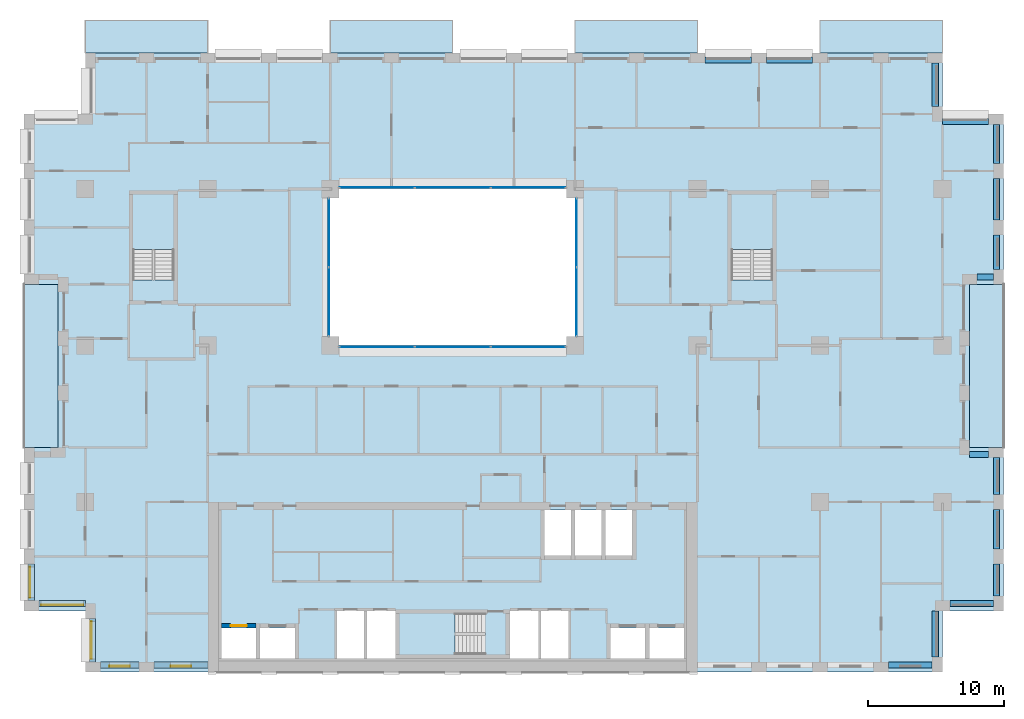
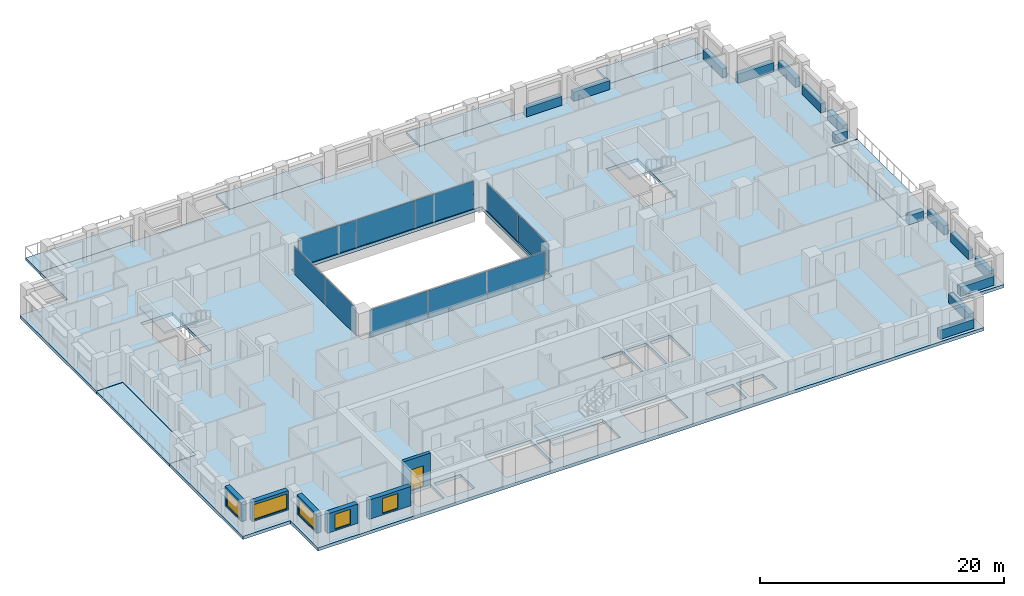
# One storey, part 7 of 16: 15 beams, 10 plates, 10 slabs, 6 walls, 5 windows, 1 door, 6 openings, 7 elements without a shape of their own.
"""IFC4 building model written with IfcOpenShell, lengths in metres."""

from ifc_helpers import new_model, si_unit, direction, frame, frame_2d, origin, origin_2d, place, context, subcontext, project, spatial, polyline, rectangle, outline, extrude, material, layer, layer_set, material_profile, profile_set, type_object, element, fill, aggregate, save


model = new_model("IFC4")

# Units and contexts
model_context = context("Model", 3, precision=1e-05, world=origin(), true_north=direction((0.0, 1.0)))
body_context = subcontext(model_context, "Body", "Model", "MODEL_VIEW")
ifc_project = project(units=[si_unit("LENGTHUNIT", "METRE"), si_unit("AREAUNIT", "SQUARE_METRE"), si_unit("VOLUMEUNIT", "CUBIC_METRE"), si_unit("PLANEANGLEUNIT", "RADIAN"), si_unit("MASSUNIT", "GRAM", prefix="KILO")], contexts=[model_context])

# Site, building, storey
site_placement = place(None, origin())
site = spatial("IfcSite", under=ifc_project, at=site_placement, CompositionType="ELEMENT")
building_placement = place(site_placement, origin())
building = spatial("IfcBuilding", under=site, at=building_placement, Name="Brigalow Station Residences", CompositionType="ELEMENT")
storey_placement = place(building_placement, frame((0.0, 0.0, 99.300048828125)))
storey = spatial("IfcBuildingStorey", under=building, at=storey_placement, Name="L28", CompositionType="ELEMENT", Elevation=99.300048828125)

# Beams
ifc_material_1 = material(Name="Concrete C65", Category="concrete")
ifc_material_profile = material_profile(ifc_material_1, rectangle(XDim=0.449951171875, YDim=0.89990234375, at=origin_2d()), Name="RC450x900")
ifc_profile_set = profile_set([ifc_material_profile], Name="Concrete C65")
beam_type = type_object("IfcBeamType", Name="SPANDREL BEAM 450x900 C65", PredefinedType="SPANDREL", material=ifc_profile_set)
beam_1_placement = place(storey_placement, frame((68.050048828125, 0.52490234375, 0.449951171875), z_axis=(1.0, 0.0, 0.0), x_axis=(0.0, 1.0, 0.0)))
element("IfcBeam", 1, at=beam_1_placement, inside=storey, type_object=beam_type, Name="L28/spandrel/W-L28-7", PredefinedType="SPANDREL", context=body_context, shape_type="SweptSolid", body=[
    extrude(rectangle(XDim=0.449951171875, YDim=0.89990234375, at=origin_2d()), origin(), (0.0, 0.0, 1.0), 3.199951171875),
])
beam_2_placement = place(storey_placement, frame((71.47509765625, 1.10009765625, 0.449951171875), z_axis=(0.0, 1.0, 0.0), x_axis=(-1.0, 0.0, 0.0)))
element("IfcBeam", 2, at=beam_2_placement, inside=storey, type_object=beam_type, Name="L28/spandrel/W-L28-8", PredefinedType="SPANDREL", context=body_context, shape_type="SweptSolid", body=[
    extrude(rectangle(XDim=0.449951171875, YDim=0.89990234375, at=origin_2d()), origin(), (0.0, 0.0, 1.0), 3.39990234375),
])
beam_3_placement = place(storey_placement, frame((72.550048828125, 5.02490234375, 0.449951171875), z_axis=(1.0, 0.0, 0.0), x_axis=(0.0, 1.0, 0.0)))
element("IfcBeam", 3, at=beam_3_placement, inside=storey, type_object=beam_type, Name="L28/spandrel/W-L28-9", PredefinedType="SPANDREL", context=body_context, shape_type="SweptSolid", body=[
    extrude(rectangle(XDim=0.449951171875, YDim=0.89990234375, at=origin_2d()), origin(), (0.0, 0.0, 1.0), 3.199951171875),
])
beam_4_placement = place(storey_placement, frame((75.97509765625, 5.60009765625, 0.449951171875), z_axis=(0.0, 1.0, 0.0), x_axis=(-1.0, 0.0, 0.0)))
element("IfcBeam", 4, at=beam_4_placement, inside=storey, type_object=beam_type, Name="L28/spandrel/W-L28-10", PredefinedType="SPANDREL", context=body_context, shape_type="SweptSolid", body=[
    extrude(rectangle(XDim=0.449951171875, YDim=0.89990234375, at=origin_2d()), origin(), (0.0, 0.0, 1.0), 2.349853515625),
])
beam_5_placement = place(storey_placement, frame((75.97509765625, 9.050048828125, 0.449951171875), z_axis=(0.0, 1.0, 0.0), x_axis=(-1.0, 0.0, 0.0)))
element("IfcBeam", 5, at=beam_5_placement, inside=storey, type_object=beam_type, Name="L28/spandrel/W-L28-11", PredefinedType="SPANDREL", context=body_context, shape_type="SweptSolid", body=[
    extrude(rectangle(XDim=0.449951171875, YDim=0.89990234375, at=origin_2d()), origin(), (0.0, 0.0, 1.0), 2.89990234375),
])
beam_6_placement = place(storey_placement, frame((75.97509765625, 13.050048828125, 0.449951171875), z_axis=(0.0, 1.0, 0.0), x_axis=(-1.0, 0.0, 0.0)))
element("IfcBeam", 6, at=beam_6_placement, inside=storey, type_object=beam_type, Name="L28/spandrel/W-L28-12", PredefinedType="SPANDREL", context=body_context, shape_type="SweptSolid", body=[
    extrude(rectangle(XDim=0.449951171875, YDim=0.89990234375, at=origin_2d()), origin(), (0.0, 0.0, 1.0), 2.699951171875),
])
beam_7_placement = place(storey_placement, frame((75.39990234375, 15.97509765625, 0.449951171875), z_axis=(-1.0, 0.0, 0.0), x_axis=(0.0, -1.0, 0.0)))
element("IfcBeam", 7, at=beam_7_placement, inside=storey, type_object=beam_type, Name="L28/spandrel/W-L28-13", PredefinedType="SPANDREL", context=body_context, shape_type="SweptSolid", body=[
    extrude(rectangle(XDim=0.449951171875, YDim=0.89990234375, at=origin_2d()), origin(), (0.0, 0.0, 1.0), 1.39990234375),
])
beam_8_placement = place(storey_placement, frame((74.550048828125, 29.02490234375, 0.449951171875), z_axis=(1.0, 0.0, 0.0), x_axis=(0.0, 1.0, 0.0)))
element("IfcBeam", 8, at=beam_8_placement, inside=storey, type_object=beam_type, Name="L28/spandrel/W-L28-17", PredefinedType="SPANDREL", context=body_context, shape_type="SweptSolid", body=[
    extrude(rectangle(XDim=0.449951171875, YDim=0.89990234375, at=origin_2d()), origin(), (0.0, 0.0, 1.0), 1.199951171875),
])
beam_9_placement = place(storey_placement, frame((75.97509765625, 29.60009765625, 0.449951171875), z_axis=(0.0, 1.0, 0.0), x_axis=(-1.0, 0.0, 0.0)))
element("IfcBeam", 9, at=beam_9_placement, inside=storey, type_object=beam_type, Name="L28/spandrel/W-L28-18", PredefinedType="SPANDREL", context=body_context, shape_type="SweptSolid", body=[
    extrude(rectangle(XDim=0.449951171875, YDim=0.89990234375, at=origin_2d()), origin(), (0.0, 0.0, 1.0), 2.516845703125),
])
beam_10_placement = place(storey_placement, frame((75.97509765625, 33.217041015625, 0.449951171875), z_axis=(0.0, 1.0, 0.0), x_axis=(-1.0, 0.0, 0.0)))
element("IfcBeam", 10, at=beam_10_placement, inside=storey, type_object=beam_type, Name="L28/spandrel/W-L28-19", PredefinedType="SPANDREL", context=body_context, shape_type="SweptSolid", body=[
    extrude(rectangle(XDim=0.449951171875, YDim=0.89990234375, at=origin_2d()), origin(), (0.0, 0.0, 1.0), 3.06591796875),
])
beam_11_placement = place(storey_placement, frame((75.97509765625, 37.383056640625, 0.449951171875), z_axis=(0.0, 1.0, 0.0), x_axis=(-1.0, 0.0, 0.0)))
element("IfcBeam", 11, at=beam_11_placement, inside=storey, type_object=beam_type, Name="L28/spandrel/W-L28-20", PredefinedType="SPANDREL", context=body_context, shape_type="SweptSolid", body=[
    extrude(rectangle(XDim=0.449951171875, YDim=0.89990234375, at=origin_2d()), origin(), (0.0, 0.0, 1.0), 2.866943359375),
])
beam_12_placement = place(storey_placement, frame((75.39990234375, 40.47509765625, 0.449951171875), z_axis=(-1.0, 0.0, 0.0), x_axis=(0.0, -1.0, 0.0)))
element("IfcBeam", 12, at=beam_12_placement, inside=storey, type_object=beam_type, Name="L28/spandrel/W-L28-21", PredefinedType="SPANDREL", context=body_context, shape_type="SweptSolid", body=[
    extrude(rectangle(XDim=0.449951171875, YDim=0.89990234375, at=origin_2d()), origin(), (0.0, 0.0, 1.0), 3.39990234375),
])
beam_13_placement = place(storey_placement, frame((71.47509765625, 41.550048828125, 0.449951171875), z_axis=(0.0, 1.0, 0.0), x_axis=(-1.0, 0.0, 0.0)))
element("IfcBeam", 13, at=beam_13_placement, inside=storey, type_object=beam_type, Name="L28/spandrel/W-L28-22", PredefinedType="SPANDREL", context=body_context, shape_type="SweptSolid", body=[
    extrude(rectangle(XDim=0.449951171875, YDim=0.89990234375, at=origin_2d()), origin(), (0.0, 0.0, 1.0), 3.199951171875),
])
for number, where, z_axis, x_axis, name in (
    (14, (62.449951171875, 44.97509765625, 0.449951171875), (-1.0, 0.0, 0.0), (0.0, -1.0, 0.0), "L28/spandrel/W-L28-25"),
    (15, (57.949951171875, 44.97509765625, 0.449951171875), (-1.0, 0.0, 0.0), (0.0, -1.0, 0.0), "L28/spandrel/W-L28-26"),
):
    element("IfcBeam", number, at=place(storey_placement, frame(where, z_axis=z_axis, x_axis=x_axis)), inside=storey, type_object=beam_type, Name=name, PredefinedType="SPANDREL", context=body_context, shape_type="SweptSolid", body=[
        extrude(rectangle(XDim=0.449951171875, YDim=0.89990234375, at=origin_2d()), origin(), (0.0, 0.0, 1.0), 3.39990234375),
    ])

# Curtain wall, plates
ifc_material_2 = material(Name="Aluminium", Category="aluminium")
ifc_layer_1 = layer(ifc_material_2, 0.14990234375)
ifc_layer_set_1 = layer_set([ifc_layer_1], Name="ATRIUM FIRE-RATED GLAZING CURTAIN WALL")
curtain_wall_type = type_object("IfcCurtainWallType", Name="ATRIUM FIRE-RATED GLAZING CURTAIN WALL", PredefinedType="NOTDEFINED", material=ifc_layer_set_1)
curtain_wall_1_placement = place(storey_placement, origin())
curtain_wall_1 = element("IfcCurtainWall", 16, at=curtain_wall_1_placement, inside=storey, type_object=curtain_wall_type, Name="L28/cw/atrium-S", PredefinedType="NOTDEFINED")
ifc_material_3 = material(Name="Fire-resisting laminated glazing, FRL -/60/-", Category="glass")
ifc_layer_2 = layer(ifc_material_3, 0.031982421875)
ifc_layer_set_2 = layer_set([ifc_layer_2], Name="ATRIUM FIRE-RATED GLAZING PANEL 32")
plate_type = type_object("IfcPlateType", Name="ATRIUM FIRE-RATED GLAZING PANEL 32", PredefinedType="CURTAIN_PANEL", material=ifc_layer_set_2)
plate_1_placement = place(storey_placement, frame((30.4482421875, 23.89990234375, 0.0), z_axis=(0.0, 0.0, 1.0), x_axis=(1.0, 0.0, 0.0)))
plate_1 = element("IfcPlate", 17, at=plate_1_placement, type_object=plate_type, Name="L28/cw/atrium-S/P00-00", PredefinedType="CURTAIN_PANEL", context=body_context, shape_type="SweptSolid", body=[
    extrude(rectangle(XDim=5.476806640625, YDim=0.031982421875, at=origin_2d()), origin(), (0.0, 0.0, 1.0), 2.77001953125),
])
plate_2_placement = place(storey_placement, frame((36.0, 23.89990234375, 0.0), z_axis=(0.0, 0.0, 1.0), x_axis=(1.0, 0.0, 0.0)))
plate_2 = element("IfcPlate", 18, at=plate_2_placement, type_object=plate_type, Name="L28/cw/atrium-S/P01-00", PredefinedType="CURTAIN_PANEL", context=body_context, shape_type="SweptSolid", body=[
    extrude(rectangle(XDim=5.506591796875, YDim=0.031982421875, at=origin_2d()), origin(), (0.0, 0.0, 1.0), 2.77001953125),
])
plate_3_placement = place(storey_placement, frame((41.5517578125, 23.89990234375, 0.0), z_axis=(0.0, 0.0, 1.0), x_axis=(1.0, 0.0, 0.0)))
plate_3 = element("IfcPlate", 19, at=plate_3_placement, type_object=plate_type, Name="L28/cw/atrium-S/P02-00", PredefinedType="CURTAIN_PANEL", context=body_context, shape_type="SweptSolid", body=[
    extrude(rectangle(XDim=5.476806640625, YDim=0.031982421875, at=origin_2d()), origin(), (0.0, 0.0, 1.0), 2.77001953125),
])
aggregate(curtain_wall_1, [plate_1, plate_2, plate_3])

curtain_wall_2_placement = place(storey_placement, origin())
curtain_wall_2 = element("IfcCurtainWall", 20, at=curtain_wall_2_placement, inside=storey, type_object=curtain_wall_type, Name="L28/cw/atrium-E", PredefinedType="NOTDEFINED")
plate_4_placement = place(storey_placement, frame((45.10009765625, 27.215087890625, 0.0), z_axis=(0.0, 0.0, 1.0), x_axis=(0.0, 1.0, 0.0)))
plate_4 = element("IfcPlate", 21, at=plate_4_placement, type_object=plate_type, Name="L28/cw/atrium-E/P00-00", PredefinedType="CURTAIN_PANEL", context=body_context, shape_type="SweptSolid", body=[
    extrude(rectangle(XDim=5.010009765625, YDim=0.031982421875, at=origin_2d()), origin(), (0.0, 0.0, 1.0), 2.77001953125),
])
plate_5_placement = place(storey_placement, frame((45.10009765625, 32.284912109375, 0.0), z_axis=(0.0, 0.0, 1.0), x_axis=(0.0, 1.0, 0.0)))
plate_5 = element("IfcPlate", 22, at=plate_5_placement, type_object=plate_type, Name="L28/cw/atrium-E/P01-00", PredefinedType="CURTAIN_PANEL", context=body_context, shape_type="SweptSolid", body=[
    extrude(rectangle(XDim=5.010009765625, YDim=0.031982421875, at=origin_2d()), origin(), (0.0, 0.0, 1.0), 2.77001953125),
])
aggregate(curtain_wall_2, [plate_4, plate_5])

curtain_wall_3_placement = place(storey_placement, origin())
curtain_wall_3 = element("IfcCurtainWall", 23, at=curtain_wall_3_placement, inside=storey, type_object=curtain_wall_type, Name="L28/cw/atrium-N", PredefinedType="NOTDEFINED")
plate_6_placement = place(storey_placement, frame((41.5517578125, 35.60009765625, 0.0), z_axis=(0.0, 0.0, 1.0), x_axis=(-1.0, 0.0, 0.0)))
plate_6 = element("IfcPlate", 24, at=plate_6_placement, type_object=plate_type, Name="L28/cw/atrium-N/P00-00", PredefinedType="CURTAIN_PANEL", context=body_context, shape_type="SweptSolid", body=[
    extrude(rectangle(XDim=5.476806640625, YDim=0.031982421875, at=origin_2d()), origin(), (0.0, 0.0, 1.0), 2.77001953125),
])
plate_7_placement = place(storey_placement, frame((36.0, 35.60009765625, 0.0), z_axis=(0.0, 0.0, 1.0), x_axis=(-1.0, 0.0, 0.0)))
plate_7 = element("IfcPlate", 25, at=plate_7_placement, type_object=plate_type, Name="L28/cw/atrium-N/P01-00", PredefinedType="CURTAIN_PANEL", context=body_context, shape_type="SweptSolid", body=[
    extrude(rectangle(XDim=5.506591796875, YDim=0.031982421875, at=origin_2d()), origin(), (0.0, 0.0, 1.0), 2.77001953125),
])
plate_8_placement = place(storey_placement, frame((30.4482421875, 35.60009765625, 0.0), z_axis=(0.0, 0.0, 1.0), x_axis=(-1.0, 0.0, 0.0)))
plate_8 = element("IfcPlate", 26, at=plate_8_placement, type_object=plate_type, Name="L28/cw/atrium-N/P02-00", PredefinedType="CURTAIN_PANEL", context=body_context, shape_type="SweptSolid", body=[
    extrude(rectangle(XDim=5.476806640625, YDim=0.031982421875, at=origin_2d()), origin(), (0.0, 0.0, 1.0), 2.77001953125),
])
aggregate(curtain_wall_3, [plate_6, plate_7, plate_8])

curtain_wall_4_placement = place(storey_placement, origin())
curtain_wall_4 = element("IfcCurtainWall", 27, at=curtain_wall_4_placement, inside=storey, type_object=curtain_wall_type, Name="L28/cw/atrium-W", PredefinedType="NOTDEFINED")
plate_9_placement = place(storey_placement, frame((26.89990234375, 32.284912109375, 0.0), z_axis=(0.0, 0.0, 1.0), x_axis=(0.0, -1.0, 0.0)))
plate_9 = element("IfcPlate", 28, at=plate_9_placement, type_object=plate_type, Name="L28/cw/atrium-W/P00-00", PredefinedType="CURTAIN_PANEL", context=body_context, shape_type="SweptSolid", body=[
    extrude(rectangle(XDim=5.010009765625, YDim=0.031982421875, at=origin_2d()), origin(), (0.0, 0.0, 1.0), 2.77001953125),
])
plate_10_placement = place(storey_placement, frame((26.89990234375, 27.215087890625, 0.0), z_axis=(0.0, 0.0, 1.0), x_axis=(0.0, -1.0, 0.0)))
plate_10 = element("IfcPlate", 29, at=plate_10_placement, type_object=plate_type, Name="L28/cw/atrium-W/P01-00", PredefinedType="CURTAIN_PANEL", context=body_context, shape_type="SweptSolid", body=[
    extrude(rectangle(XDim=5.010009765625, YDim=0.031982421875, at=origin_2d()), origin(), (0.0, 0.0, 1.0), 2.77001953125),
])
aggregate(curtain_wall_4, [plate_9, plate_10])

# Slabs
ifc_material_4 = material(Name="Concrete C50 precast", Category="concrete")
ifc_layer_3 = layer(ifc_material_4, 0.25)
ifc_layer_set_3 = layer_set([ifc_layer_3], Name="BALCONY SLAB 250")
slab_type_1 = type_object("IfcSlabType", Name="BALCONY SLAB 250", PredefinedType="USERDEFINED", material=ifc_layer_set_3)
slab_1_placement = place(storey_placement, frame((0.0, 0.0, -0.2900390625)))
element("IfcSlab", 30, at=slab_1_placement, inside=storey, type_object=slab_type_1, Name="L28/balcony/1", ObjectType="BALCONY", PredefinedType="USERDEFINED", context=body_context, shape_type="SweptSolid", body=[
    extrude(outline(polyline([(74.0, 16.5), (76.5, 16.5), (76.5, 28.5), (74.0, 28.5), (74.0, 16.5)])), origin(), (0.0, 0.0, 1.0), 0.25),
])
slab_2_placement = place(storey_placement, frame((0.0, 0.0, -0.2900390625)))
element("IfcSlab", 31, at=slab_2_placement, inside=storey, type_object=slab_type_1, Name="L28/balcony/2", ObjectType="BALCONY", PredefinedType="USERDEFINED", context=body_context, shape_type="SweptSolid", body=[
    extrude(outline(polyline([(72.0, 45.5), (72.0, 47.89990234375), (63.0, 47.89990234375), (63.0, 45.5), (72.0, 45.5)])), origin(), (0.0, 0.0, 1.0), 0.25),
])
slab_3_placement = place(storey_placement, frame((0.0, 0.0, -0.2900390625)))
element("IfcSlab", 32, at=slab_3_placement, inside=storey, type_object=slab_type_1, Name="L28/balcony/3", ObjectType="BALCONY", PredefinedType="USERDEFINED", context=body_context, shape_type="SweptSolid", body=[
    extrude(outline(polyline([(54.0, 45.5), (54.0, 47.89990234375), (45.0, 47.89990234375), (45.0, 45.5), (54.0, 45.5)])), origin(), (0.0, 0.0, 1.0), 0.25),
])
slab_4_placement = place(storey_placement, frame((0.0, 0.0, -0.2900390625)))
element("IfcSlab", 33, at=slab_4_placement, inside=storey, type_object=slab_type_1, Name="L28/balcony/4", ObjectType="BALCONY", PredefinedType="USERDEFINED", context=body_context, shape_type="SweptSolid", body=[
    extrude(outline(polyline([(36.0, 45.5), (36.0, 47.89990234375), (27.0, 47.89990234375), (27.0, 45.5), (36.0, 45.5)])), origin(), (0.0, 0.0, 1.0), 0.25),
])
slab_5_placement = place(storey_placement, frame((0.0, 0.0, -0.2900390625)))
element("IfcSlab", 34, at=slab_5_placement, inside=storey, type_object=slab_type_1, Name="L28/balcony/5", ObjectType="BALCONY", PredefinedType="USERDEFINED", context=body_context, shape_type="SweptSolid", body=[
    extrude(outline(polyline([(18.0, 45.5), (18.0, 47.89990234375), (9.0, 47.89990234375), (9.0, 45.5), (18.0, 45.5)])), origin(), (0.0, 0.0, 1.0), 0.25),
])
slab_6_placement = place(storey_placement, frame((0.0, 0.0, -0.2900390625)))
element("IfcSlab", 35, at=slab_6_placement, inside=storey, type_object=slab_type_1, Name="L28/balcony/6", ObjectType="BALCONY", PredefinedType="USERDEFINED", context=body_context, shape_type="SweptSolid", body=[
    extrude(outline(polyline([(7.0, 28.5), (4.5, 28.5), (4.5, 16.5), (7.0, 16.5), (7.0, 28.5)])), origin(), (0.0, 0.0, 1.0), 0.25),
])
ifc_material_5 = material(Name="Concrete C50", Category="concrete")
ifc_layer_4 = layer(ifc_material_5, 0.320068359375)
ifc_layer_set_4 = layer_set([ifc_layer_4], Name="POST-TENSIONED FLAT PLATE 320 C50")
slab_type_2 = type_object("IfcSlabType", Name="POST-TENSIONED FLAT PLATE 320 C50", PredefinedType="FLOOR", material=ifc_layer_set_4)
slab_7_placement = place(storey_placement, frame((0.0, 0.0, -0.320068359375)))
element("IfcSlab", 36, at=slab_7_placement, inside=storey, type_object=slab_type_2, Name="FLOOR SLAB L28", PredefinedType="FLOOR", context=body_context, shape_type="SweptSolid", body=[
    extrude(outline(polyline([(9.0, 0.0), (72.0, 0.0), (72.0, 4.5), (76.5, 4.5), (76.5, 16.5), (74.0, 16.5), (74.0, 28.5), (76.5, 28.5), (76.5, 41.0), (72.0, 41.0), (72.0, 45.5), (9.0, 45.5), (9.0, 41.0), (4.5, 41.0), (4.5, 28.5), (7.0, 28.5), (7.0, 16.5), (4.5, 16.5), (4.5, 4.5), (9.0, 4.5), (9.0, 0.0)]), holes=[polyline([(12.5048828125, 35.094970703125), (15.4951171875, 35.094970703125), (15.4951171875, 28.804931640625), (12.5048828125, 28.804931640625), (12.5048828125, 35.094970703125)]), polyline([(19.0, 1.0), (19.0, 3.25), (21.550048828125, 3.25), (21.550048828125, 1.0), (19.0, 1.0)]), polyline([(21.85009765625, 3.25), (24.39990234375, 3.25), (24.39990234375, 1.0), (21.85009765625, 1.0), (21.85009765625, 3.25)]), polyline([(27.0, 35.5), (45.0, 35.5), (45.0, 24.0), (27.0, 24.0), (27.0, 35.5)]), polyline([(29.60009765625, 4.60009765625), (31.800048828125, 4.60009765625), (31.800048828125, 1.0), (29.60009765625, 1.0), (27.39990234375, 1.0), (27.39990234375, 4.60009765625), (29.60009765625, 4.60009765625)]), polyline([(32.10498046875, 4.294921875), (38.39501953125, 4.294921875), (38.39501953125, 1.304931640625), (32.10498046875, 1.304931640625), (32.10498046875, 4.294921875)]), polyline([(40.199951171875, 4.60009765625), (42.39990234375, 4.60009765625), (44.60009765625, 4.60009765625), (44.60009765625, 1.0), (42.39990234375, 1.0), (40.199951171875, 1.0), (40.199951171875, 4.60009765625)]), polyline([(42.75, 11.89990234375), (44.699951171875, 11.89990234375), (44.699951171875, 8.550048828125), (42.75, 8.550048828125), (42.75, 11.89990234375)]), polyline([(45.0, 11.89990234375), (46.949951171875, 11.89990234375), (46.949951171875, 8.550048828125), (45.0, 8.550048828125), (45.0, 11.89990234375)]), polyline([(47.25, 11.89990234375), (49.199951171875, 11.89990234375), (49.199951171875, 8.550048828125), (47.25, 8.550048828125), (47.25, 11.89990234375)]), polyline([(47.60009765625, 3.25), (50.14990234375, 3.25), (50.14990234375, 1.0), (47.60009765625, 1.0), (47.60009765625, 3.25)]), polyline([(50.449951171875, 3.25), (53.0, 3.25), (53.0, 1.0), (50.449951171875, 1.0), (50.449951171875, 3.25)]), polyline([(56.5048828125, 35.094970703125), (59.4951171875, 35.094970703125), (59.4951171875, 28.804931640625), (56.5048828125, 28.804931640625), (56.5048828125, 35.094970703125)])]), origin(), (0.0, 0.0, 1.0), 0.320068359375),
])

# Stair, slab
ifc_material_6 = material(Name="Concrete C50", Category="concrete")
stair_type = type_object("IfcStairType", Name="EXIT STAIR 1400 2 FLIGHT", PredefinedType="HALF_TURN_STAIR", material=ifc_material_6)
stair_1_placement = place(storey_placement, origin())
stair_1 = element("IfcStair", 37, at=stair_1_placement, inside=storey, type_object=stair_type, Name="EXIT STAIR S2 L28", PredefinedType="HALF_TURN_STAIR")
ifc_material_7 = material(Name="Concrete C50", Category="concrete")
ifc_layer_5 = layer(ifc_material_7, 0.199951171875)
ifc_layer_set_5 = layer_set([ifc_layer_5], Name="STAIR LANDING 200")
slab_type_3 = type_object("IfcSlabType", Name="STAIR LANDING 200", PredefinedType="LANDING", material=ifc_layer_set_5)
slab_8_placement = place(storey_placement, frame((0.0, 0.0, 1.375)))
slab_8 = element("IfcSlab", 38, at=slab_8_placement, type_object=slab_type_3, Name="ST-2 landing 1", PredefinedType="LANDING", context=body_context, shape_type="SweptSolid", body=[
    extrude(outline(polyline([(32.0, 1.199951171875), (36.159912109375, 1.199951171875), (36.159912109375, 4.39990234375), (32.0, 4.39990234375), (32.0, 1.199951171875)])), origin(), (0.0, 0.0, 1.0), 0.199951171875),
])
aggregate(stair_1, [slab_8])

stair_2_placement = place(storey_placement, origin())
stair_2 = element("IfcStair", 39, at=stair_2_placement, inside=storey, type_object=stair_type, Name="EXIT STAIR S1 L28", PredefinedType="HALF_TURN_STAIR")
slab_9_placement = place(storey_placement, frame((0.0, 0.0, 1.375)))
slab_9 = element("IfcSlab", 40, at=slab_9_placement, type_object=slab_type_3, Name="ST-1 landing 1", PredefinedType="LANDING", context=body_context, shape_type="SweptSolid", body=[
    extrude(outline(polyline([(12.39990234375, 31.0400390625), (15.60009765625, 31.0400390625), (15.60009765625, 35.199951171875), (12.39990234375, 35.199951171875), (12.39990234375, 31.0400390625)])), origin(), (0.0, 0.0, 1.0), 0.199951171875),
])
aggregate(stair_2, [slab_9])

stair_3_placement = place(storey_placement, origin())
stair_3 = element("IfcStair", 41, at=stair_3_placement, inside=storey, type_object=stair_type, Name="EXIT STAIR S3 L28", PredefinedType="HALF_TURN_STAIR")
slab_10_placement = place(storey_placement, frame((0.0, 0.0, 1.375)))
slab_10 = element("IfcSlab", 42, at=slab_10_placement, type_object=slab_type_3, Name="ST-3 landing 1", PredefinedType="LANDING", context=body_context, shape_type="SweptSolid", body=[
    extrude(outline(polyline([(56.39990234375, 31.0400390625), (59.60009765625, 31.0400390625), (59.60009765625, 35.199951171875), (56.39990234375, 35.199951171875), (56.39990234375, 31.0400390625)])), origin(), (0.0, 0.0, 1.0), 0.199951171875),
])
aggregate(stair_3, [slab_10])

# Wall, opening, window
ifc_material_8 = material(Name="Clay brick masonry", Category="masonry")
ifc_layer_6 = layer(ifc_material_8, 0.449951171875)
ifc_layer_set_6 = layer_set([ifc_layer_6], Name="BRICK INFILL WALL 450")
wall_type_1 = type_object("IfcWallType", Name="BRICK INFILL WALL 450", PredefinedType="SOLIDWALL", material=ifc_layer_set_6)
wall_1_placement = place(storey_placement, frame((10.10009765625, 0.52490234375, 0.89990234375), z_axis=(0.0, 0.0, 1.0), x_axis=(1.0, 0.0, 0.0)))
wall_1 = element("IfcWall", 43, at=wall_1_placement, inside=storey, type_object=wall_type_1, Name="L28/ewall/W-L28-1", PredefinedType="SOLIDWALL", context=body_context, shape_type="SweptSolid", body=[
    extrude(rectangle(XDim=2.849853515625, YDim=0.449951171875, at=frame_2d((1.4248046875, 0.0))), origin(), (0.0, 0.0, 1.0), 1.929931640625),
])
opening_1_placement = place(wall_1_placement, frame((0.675048828125, 0.0, 0.14990234375)))
opening_1 = element("IfcOpeningElement", 44, at=opening_1_placement, cuts=wall_1, Name="Opening WT-1", PredefinedType="OPENING", context=body_context, shape_type="SweptSolid", body=[
    extrude(rectangle(XDim=1.5, YDim=1.5, at=frame_2d((0.75, 0.75))), frame((0.0, 0.23486328125, 0.0), z_axis=(0.0, -1.0, 0.0), x_axis=(1.0, 0.0, 0.0)), (0.0, 0.0, 1.0), 0.469970703125),
])
ifc_material_9 = material(Name="Anodised aluminium frame with double glazing", Category="aluminium")
window_type_1 = type_object("IfcWindowType", Name="WINDOW 1500x1500", PartitioningType="SINGLE_PANEL", PredefinedType="WINDOW", material=ifc_material_9)
window_1_placement = place(opening_1_placement, origin())
window_1 = element("IfcWindow", 45, at=window_1_placement, inside=storey, type_object=window_type_1, Name="L28/window/W-L28-1", OverallHeight=1.5, OverallWidth=1.5, PartitioningType="SINGLE_PANEL", PredefinedType="WINDOW", context=body_context, shape_type="SweptSolid", body=[
    extrude(rectangle(XDim=1.5, YDim=1.5, at=frame_2d((0.75, 0.75))), frame((0.0, -0.06494140625, 0.0), z_axis=(0.0, -1.0, 0.0), x_axis=(1.0, 0.0, 0.0)), (0.0, 0.0, 1.0), 0.06005859375),
])
fill(opening_1, window_1)

wall_2_placement = place(storey_placement, frame((14.050048828125, 0.52490234375, 0.89990234375), z_axis=(0.0, 0.0, 1.0), x_axis=(1.0, 0.0, 0.0)))
wall_2 = element("IfcWall", 46, at=wall_2_placement, inside=storey, type_object=wall_type_1, Name="L28/ewall/W-L28-2", PredefinedType="SOLIDWALL", context=body_context, shape_type="SweptSolid", body=[
    extrude(rectangle(XDim=3.949951171875, YDim=0.449951171875, at=frame_2d((1.97509765625, 0.0))), origin(), (0.0, 0.0, 1.0), 1.929931640625),
])
opening_2_placement = place(wall_2_placement, frame((1.22509765625, 0.0, 0.14990234375)))
opening_2 = element("IfcOpeningElement", 47, at=opening_2_placement, cuts=wall_2, Name="Opening WT-1", PredefinedType="OPENING", context=body_context, shape_type="SweptSolid", body=[
    extrude(rectangle(XDim=1.5, YDim=1.5, at=frame_2d((0.75, 0.75))), frame((0.0, 0.23486328125, 0.0), z_axis=(0.0, -1.0, 0.0), x_axis=(1.0, 0.0, 0.0)), (0.0, 0.0, 1.0), 0.469970703125),
])
window_2_placement = place(opening_2_placement, origin())
window_2 = element("IfcWindow", 48, at=window_2_placement, inside=storey, type_object=window_type_1, Name="L28/window/W-L28-2", OverallHeight=1.5, OverallWidth=1.5, PartitioningType="SINGLE_PANEL", PredefinedType="WINDOW", context=body_context, shape_type="SweptSolid", body=[
    extrude(rectangle(XDim=1.5, YDim=1.5, at=frame_2d((0.75, 0.75))), frame((0.0, -0.06494140625, 0.0), z_axis=(0.0, -1.0, 0.0), x_axis=(1.0, 0.0, 0.0)), (0.0, 0.0, 1.0), 0.06005859375),
])
fill(opening_2, window_2)

wall_3_placement = place(storey_placement, frame((5.02490234375, 7.949951171875, 0.89990234375), z_axis=(0.0, 0.0, 1.0), x_axis=(0.0, -1.0, 0.0)))
wall_3 = element("IfcWall", 49, at=wall_3_placement, inside=storey, type_object=wall_type_1, Name="L28/ewall/W-L28-49", PredefinedType="SOLIDWALL", context=body_context, shape_type="SweptSolid", body=[
    extrude(rectangle(XDim=2.699951171875, YDim=0.449951171875, at=frame_2d((1.35009765625, 0.0))), origin(), (0.0, 0.0, 1.0), 1.929931640625),
])
opening_3_placement = place(wall_3_placement, frame((0.22509765625, 0.0, 0.14990234375)))
opening_3 = element("IfcOpeningElement", 50, at=opening_3_placement, cuts=wall_3, Name="Opening WT-6", PredefinedType="OPENING", context=body_context, shape_type="SweptSolid", body=[
    extrude(rectangle(XDim=2.25, YDim=1.5, at=frame_2d((1.125, 0.75))), frame((0.0, 0.23486328125, 0.0), z_axis=(0.0, -1.0, 0.0), x_axis=(1.0, 0.0, 0.0)), (0.0, 0.0, 1.0), 0.469970703125),
])
ifc_material_10 = material(Name="Anodised aluminium frame with double glazing", Category="aluminium")
window_type_2 = type_object("IfcWindowType", Name="WINDOW 2250x1500", PartitioningType="SINGLE_PANEL", PredefinedType="WINDOW", material=ifc_material_10)
window_3_placement = place(opening_3_placement, origin())
window_3 = element("IfcWindow", 51, at=window_3_placement, inside=storey, type_object=window_type_2, Name="L28/window/W-L28-49", OverallHeight=1.5, OverallWidth=2.25, PartitioningType="SINGLE_PANEL", PredefinedType="WINDOW", context=body_context, shape_type="SweptSolid", body=[
    extrude(rectangle(XDim=2.25, YDim=1.5, at=frame_2d((1.125, 0.75))), frame((0.0, -0.06494140625, 0.0), z_axis=(0.0, -1.0, 0.0), x_axis=(1.0, 0.0, 0.0)), (0.0, 0.0, 1.0), 0.06005859375),
])
fill(opening_3, window_3)

wall_4_placement = place(storey_placement, frame((5.60009765625, 5.02490234375, 0.89990234375), z_axis=(0.0, 0.0, 1.0), x_axis=(1.0, 0.0, 0.0)))
wall_4 = element("IfcWall", 52, at=wall_4_placement, inside=storey, type_object=wall_type_1, Name="L28/ewall/W-L28-50", PredefinedType="SOLIDWALL", context=body_context, shape_type="SweptSolid", body=[
    extrude(rectangle(XDim=3.39990234375, YDim=0.449951171875, at=frame_2d((1.699951171875, 0.0))), origin(), (0.0, 0.0, 1.0), 1.929931640625),
])
opening_4_placement = place(wall_4_placement, frame((0.14990234375, 0.0, 0.14990234375)))
opening_4 = element("IfcOpeningElement", 53, at=opening_4_placement, cuts=wall_4, Name="Opening WT-8", PredefinedType="OPENING", context=body_context, shape_type="SweptSolid", body=[
    extrude(rectangle(XDim=3.10009765625, YDim=1.5, at=frame_2d((1.550048828125, 0.75))), frame((0.0, 0.23486328125, 0.0), z_axis=(0.0, -1.0, 0.0), x_axis=(1.0, 0.0, 0.0)), (0.0, 0.0, 1.0), 0.469970703125),
])
ifc_material_11 = material(Name="Anodised aluminium frame with double glazing", Category="aluminium")
window_type_3 = type_object("IfcWindowType", Name="WINDOW 3100x1500", PartitioningType="SINGLE_PANEL", PredefinedType="WINDOW", material=ifc_material_11)
window_4_placement = place(opening_4_placement, origin())
window_4 = element("IfcWindow", 54, at=window_4_placement, inside=storey, type_object=window_type_3, Name="L28/window/W-L28-50", OverallHeight=1.5, OverallWidth=3.10009765625, PartitioningType="SINGLE_PANEL", PredefinedType="WINDOW", context=body_context, shape_type="SweptSolid", body=[
    extrude(rectangle(XDim=3.10009765625, YDim=1.5, at=frame_2d((1.550048828125, 0.75))), frame((0.0, -0.06494140625, 0.0), z_axis=(0.0, -1.0, 0.0), x_axis=(1.0, 0.0, 0.0)), (0.0, 0.0, 1.0), 0.06005859375),
])
fill(opening_4, window_4)

wall_5_placement = place(storey_placement, frame((9.52490234375, 3.949951171875, 0.89990234375), z_axis=(0.0, 0.0, 1.0), x_axis=(0.0, -1.0, 0.0)))
wall_5 = element("IfcWall", 55, at=wall_5_placement, inside=storey, type_object=wall_type_1, Name="L28/ewall/W-L28-51", PredefinedType="SOLIDWALL", context=body_context, shape_type="SweptSolid", body=[
    extrude(rectangle(XDim=3.199951171875, YDim=0.449951171875, at=frame_2d((1.60009765625, 0.0))), origin(), (0.0, 0.0, 1.0), 1.929931640625),
])
opening_5_placement = place(wall_5_placement, frame((0.22509765625, 0.0, 0.14990234375)))
opening_5 = element("IfcOpeningElement", 56, at=opening_5_placement, cuts=wall_5, Name="Opening WT-3", PredefinedType="OPENING", context=body_context, shape_type="SweptSolid", body=[
    extrude(rectangle(XDim=2.75, YDim=1.5, at=frame_2d((1.375, 0.75))), frame((0.0, 0.23486328125, 0.0), z_axis=(0.0, -1.0, 0.0), x_axis=(1.0, 0.0, 0.0)), (0.0, 0.0, 1.0), 0.469970703125),
])
ifc_material_12 = material(Name="Anodised aluminium frame with double glazing", Category="aluminium")
window_type_4 = type_object("IfcWindowType", Name="WINDOW 2750x1500", PartitioningType="SINGLE_PANEL", PredefinedType="WINDOW", material=ifc_material_12)
window_5_placement = place(opening_5_placement, origin())
window_5 = element("IfcWindow", 57, at=window_5_placement, inside=storey, type_object=window_type_4, Name="L28/window/W-L28-51", OverallHeight=1.5, OverallWidth=2.75, PartitioningType="SINGLE_PANEL", PredefinedType="WINDOW", context=body_context, shape_type="SweptSolid", body=[
    extrude(rectangle(XDim=2.75, YDim=1.5, at=frame_2d((1.375, 0.75))), frame((0.0, -0.06494140625, 0.0), z_axis=(0.0, -1.0, 0.0), x_axis=(1.0, 0.0, 0.0)), (0.0, 0.0, 1.0), 0.06005859375),
])
fill(opening_5, window_5)

# Wall, opening, door
ifc_material_13 = material(Name="Concrete C65", Category="concrete")
ifc_layer_7 = layer(ifc_material_13, 0.300048828125)
ifc_layer_set_7 = layer_set([ifc_layer_7], Name="CORE SHEAR WALL 300 C65")
wall_type_2 = type_object("IfcWallType", Name="CORE SHEAR WALL 300 C65", PredefinedType="SHEAR", material=ifc_layer_set_7)
wall_6_placement = place(storey_placement, frame((19.0, 3.39990234375, 0.0), z_axis=(0.0, 0.0, 1.0), x_axis=(1.0, 0.0, 0.0)))
wall_6 = element("IfcWall", 58, at=wall_6_placement, inside=storey, type_object=wall_type_2, Name="CORE WALL SH-C1-N L28", PredefinedType="SHEAR", context=body_context, shape_type="SweptSolid", body=[
    extrude(rectangle(XDim=2.550048828125, YDim=0.300048828125, at=frame_2d((1.27490234375, 0.0))), origin(), (0.0, 0.0, 1.0), 3.14990234375),
])
opening_6_placement = place(wall_6_placement, frame((0.675048828125, 0.0, 0.0)))
opening_6 = element("IfcOpeningElement", 59, at=opening_6_placement, cuts=wall_6, Name="Opening LD-LB1", PredefinedType="OPENING", context=body_context, shape_type="SweptSolid", body=[
    extrude(rectangle(XDim=1.199951171875, YDim=2.10009765625, at=frame_2d((0.60009765625, 1.050048828125))), frame((0.0, 0.16015625, 0.0), z_axis=(0.0, -1.0, 0.0), x_axis=(1.0, 0.0, 0.0)), (0.0, 0.0, 1.0), 0.320068359375),
])
ifc_material_14 = material(Name="Stainless steel sliding door leaves", Category="steel")
door_type = type_object("IfcDoorType", Name="LIFT LANDING DOOR 1200 x 2100", OperationType="DOUBLE_DOOR_SLIDING", PredefinedType="DOOR", material=ifc_material_14)
door_placement = place(opening_6_placement, origin())
door = element("IfcDoor", 60, at=door_placement, inside=storey, type_object=door_type, Name="LANDING DOOR LB1", OperationType="DOUBLE_DOOR_SLIDING", OverallHeight=2.10009765625, OverallWidth=1.199951171875, PredefinedType="DOOR", context=body_context, shape_type="SweptSolid", body=[
    extrude(rectangle(XDim=1.199951171875, YDim=2.10009765625, at=frame_2d((0.60009765625, 1.050048828125))), frame((0.0, 0.02490234375, 0.0), z_axis=(0.0, -1.0, 0.0), x_axis=(1.0, 0.0, 0.0)), (0.0, 0.0, 1.0), 0.050048828125),
])
fill(opening_6, door)

save(model, "model.ifc")
